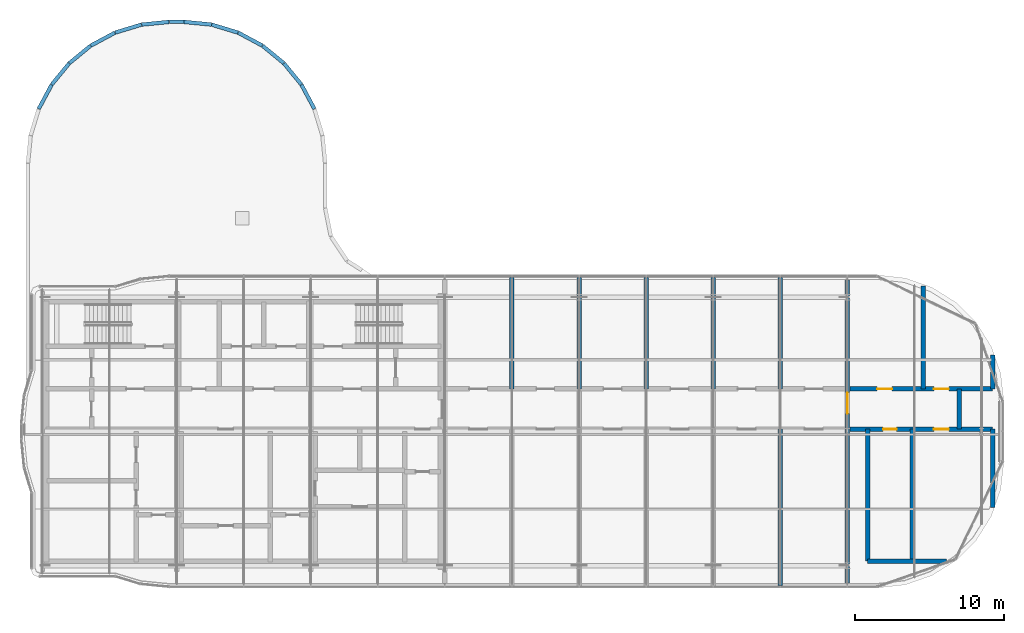
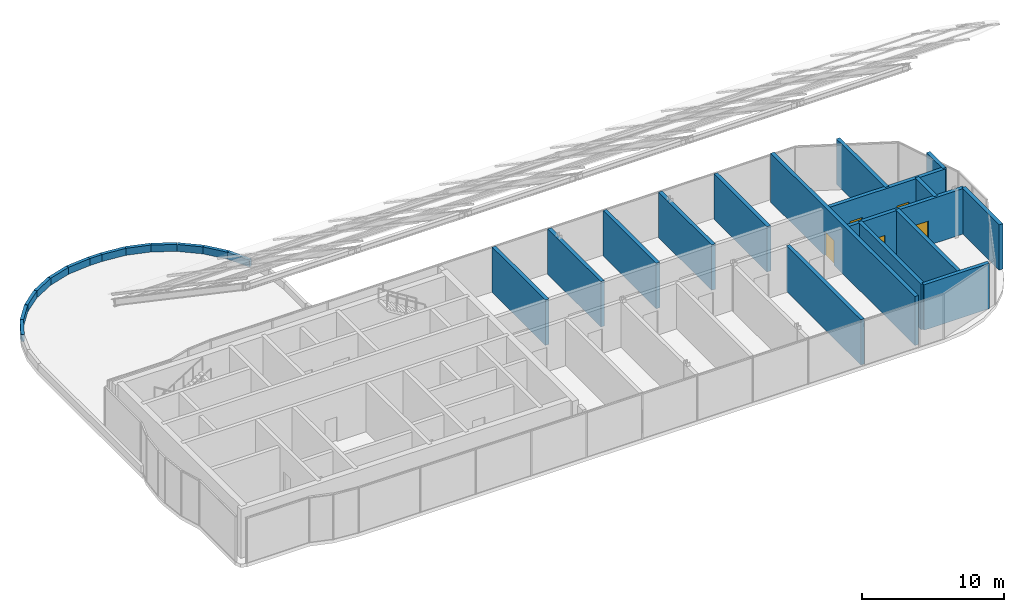
# One storey, part 22 of 25: 29 walls, 5 doors, 5 openings.
"""IFC4 building model written with IfcOpenShell, lengths in metres."""

import ifcopenshell
import ifcopenshell.guid

model = None  # the IFC model being written
_history = None  # IfcOwnerHistory: only IFC2X3 demands one
_inside = {}  # id of a spatial element -> (the spatial element, [elements in it])
_under = {}  # id of a project, library or spatial element -> (it, [spatial elements below it])
_declared = {}  # id of a project -> (the project, [libraries it declares])
_typed = {}  # id of a type object -> (the type object, [elements of that type])
_made_of = {}  # id of a material, layer set ... -> (it, [elements and type objects made of it])


def new_model(schema):
    """Start an empty IFC model of exactly this schema.

    Asked for "IFC4X3", IfcOpenShell would pick the latest addendum, in which some entities
    have other attributes; the version numbers below select the first issue.
    IFC2X3 requires an IfcOwnerHistory on every rooted entity: one is made here for all.
    """
    global model, _history
    if schema == "IFC4X3":
        model = ifcopenshell.file(schema_version=(4, 3, 0, 0))
    else:
        model = ifcopenshell.file(schema=schema)
    _inside.clear()
    _under.clear()
    _declared.clear()
    _typed.clear()
    _made_of.clear()
    _history = None
    if model.schema == "IFC2X3":
        org = make("IfcOrganization", Name="unknown")
        user = make(
            "IfcPersonAndOrganization",
            ThePerson=make("IfcPerson", FamilyName="unknown"),
            TheOrganization=org,
        )
        app = make(
            "IfcApplication",
            ApplicationDeveloper=org,
            Version="unknown",
            ApplicationFullName="unknown",
            ApplicationIdentifier="unknown",
        )
        _history = make(
            "IfcOwnerHistory",
            OwningUser=user,
            OwningApplication=app,
            ChangeAction="ADDED",
            CreationDate=0,
        )
    return model


def make(cls, **values):
    """One entity of the class cls with the attributes given. An attribute that is None is left unset."""
    return model.create_entity(
        cls, **{name: value for name, value in values.items() if value is not None}
    )


def rooted(cls, **values):
    """An entity with a GlobalId (a new one), such as an element, a storey or a relation."""
    return make(cls, GlobalId=ifcopenshell.guid.new(), OwnerHistory=_history, **values)


def si_unit(unit_type, name, prefix=None):
    """IfcSIUnit, for example si_unit("LENGTHUNIT", "METRE", prefix="MILLI")."""
    return make("IfcSIUnit", UnitType=unit_type, Prefix=prefix, Name=name)


def assignment(units):
    """IfcUnitAssignment: the units of a project."""
    return None if units is None else make("IfcUnitAssignment", Units=units)


def point(xyz):
    """IfcCartesianPoint."""
    return None if xyz is None else make("IfcCartesianPoint", Coordinates=xyz)


def direction(xyz):
    """IfcDirection."""
    return None if xyz is None else make("IfcDirection", DirectionRatios=xyz)


def frame(location, z_axis=None, x_axis=None):
    """IfcAxis2Placement3D, a coordinate frame: its origin and axes. An axis left out is left unset."""
    return make(
        "IfcAxis2Placement3D",
        Location=point(location),
        Axis=direction(z_axis),
        RefDirection=direction(x_axis),
    )


def frame_2d(location, x_axis=None):
    """IfcAxis2Placement2D, a coordinate frame in the plane: its origin and x axis."""
    return make(
        "IfcAxis2Placement2D", Location=point(location), RefDirection=direction(x_axis)
    )


def origin():
    """The frame at (0, 0, 0) with its axes left unset."""
    return frame((0.0, 0.0, 0.0))


def place(relative_to, where):
    """IfcLocalPlacement: puts the frame where relative to a parent placement (None: the world)."""
    return make(
        "IfcLocalPlacement", PlacementRelTo=relative_to, RelativePlacement=where
    )


def context(
    kind, dimensions, precision=None, world=None, true_north=None, identifier=None
):
    """IfcGeometricRepresentationContext, for example the 3D "Model" context."""
    return make(
        "IfcGeometricRepresentationContext",
        ContextIdentifier=identifier,
        ContextType=kind,
        CoordinateSpaceDimension=dimensions,
        Precision=precision,
        WorldCoordinateSystem=world,
        TrueNorth=true_north,
    )


def subcontext(parent, identifier, kind, view, scale=None):
    """IfcGeometricRepresentationSubContext, for example "Body" below "Model"."""
    return make(
        "IfcGeometricRepresentationSubContext",
        ContextIdentifier=identifier,
        ContextType=kind,
        ParentContext=parent,
        TargetScale=scale,
        TargetView=view,
    )


def project(units=None, contexts=None):
    """IfcProject with its units and contexts."""
    return rooted(
        "IfcProject",
        Name="project",
        RepresentationContexts=contexts,
        UnitsInContext=assignment(units),
    )


def spatial(cls, under=None, at=None, **own):
    """A site, building, storey or space (cls), placed at a placement, below another one or the project."""
    s = rooted(cls, ObjectPlacement=at, **own)
    if under is not None:
        _under.setdefault(under.id(), (under, []))[1].append(s)
    return s


def profile(cls, at=None, kind="AREA", **sizes):
    """A parametric profile (cls). Its sizes go by their IFC names, for example OverallWidth=200.0."""
    return make(cls, ProfileType=kind, Position=at, **sizes)


def rectangle(**sizes):
    """IfcRectangleProfileDef."""
    return profile("IfcRectangleProfileDef", **sizes)


def extrude(swept, where, along, depth):
    """IfcExtrudedAreaSolid: the profile swept, set in the frame where, extruded along a direction by depth."""
    return make(
        "IfcExtrudedAreaSolid",
        SweptArea=swept,
        Position=where,
        ExtrudedDirection=direction(along),
        Depth=depth,
    )


def shape(context_of_items, identifier, shape_type, items):
    """IfcShapeRepresentation: the items that make up one representation, for example the "Body"."""
    return make(
        "IfcShapeRepresentation",
        ContextOfItems=context_of_items,
        RepresentationIdentifier=identifier,
        RepresentationType=shape_type,
        Items=items,
    )


def material(Name=None, Category=None):
    """IfcMaterial."""
    return make("IfcMaterial", Name=Name, Category=Category)


def layer(
    of_material, thickness, ventilated=None, Name=None, Category=None, Priority=None
):
    """IfcMaterialLayer: one layer of a wall or slab, of a material (None: an air gap)."""
    return make(
        "IfcMaterialLayer",
        Material=of_material,
        LayerThickness=thickness,
        IsVentilated=ventilated,
        Name=Name,
        Category=Category,
        Priority=Priority,
    )


def layer_set(layers, Name=None):
    """IfcMaterialLayerSet."""
    return make("IfcMaterialLayerSet", MaterialLayers=layers, LayerSetName=Name)


def made_of(thing, what):
    """Note that an element or type object is made of a material, layer set ...; save() writes the relation."""
    if what is not None:
        _made_of.setdefault(what.id(), (what, []))[1].append(thing)
    return thing


def type_object(cls, material=None, **own):
    """A type object (cls), such as IfcWallType, which elements share."""
    return made_of(rooted(cls, **own), material)


def element(
    cls,
    number,
    at=None,
    inside=None,
    cuts=None,
    type_object=None,
    material=None,
    context=None,
    identifier="Body",
    shape_type=None,
    held_by="IfcProductDefinitionShape",
    body=None,
    shapes=None,
    **own,
):
    """One element of the class cls, such as IfcWall. Its Tag is "e" and its number.

    at: its placement. inside: the storey or other place that contains it. cuts: it is an
    opening in that element (IfcRelVoidsElement). A single representation is given by context,
    identifier, shape_type and body (its items); several are given by shapes. held_by: the class
    of the entity that holds the representations. save() writes the other relations.
    """
    e = rooted(cls, Tag="e%d" % number, ObjectPlacement=at, **own)
    if body is not None:
        shapes = [shape(context, identifier, shape_type, body)]
    if shapes is not None:
        e.Representation = make(held_by, Representations=shapes)
    if inside is not None:
        _inside.setdefault(inside.id(), (inside, []))[1].append(e)
    if cuts is not None:
        rooted(
            "IfcRelVoidsElement", RelatingBuildingElement=cuts, RelatedOpeningElement=e
        )
    if type_object is not None:
        _typed.setdefault(type_object.id(), (type_object, []))[1].append(e)
    return made_of(e, material)


def fill(opening, filler):
    """IfcRelFillsElement: the door or window that sits in an opening."""
    return rooted(
        "IfcRelFillsElement",
        RelatingOpeningElement=opening,
        RelatedBuildingElement=filler,
    )


def aggregate(whole, parts):
    """IfcRelAggregates: a whole, such as a stair, and the parts it consists of."""
    return rooted("IfcRelAggregates", RelatingObject=whole, RelatedObjects=parts)


def save(model, path):
    """Write the relations noted so far, then the file.

    IfcRelAggregates (storeys below a building ...), IfcRelContainedInSpatialStructure (elements
    in a storey), IfcRelDefinesByType, IfcRelAssociatesMaterial and IfcRelDeclares: one each for
    every whole, place, type object, material and project.
    """
    for whole, parts in _under.values():
        aggregate(whole, parts)
    for where, things in _inside.values():
        rooted(
            "IfcRelContainedInSpatialStructure",
            RelatedElements=things,
            RelatingStructure=where,
        )
    for kind, things in _typed.values():
        rooted("IfcRelDefinesByType", RelatedObjects=things, RelatingType=kind)
    for what, things in _made_of.values():
        rooted("IfcRelAssociatesMaterial", RelatedObjects=things, RelatingMaterial=what)
    for by, libraries in _declared.values():
        rooted("IfcRelDeclares", RelatingContext=by, RelatedDefinitions=libraries)
    model.write(path)


model = new_model("IFC4")

# Units and contexts
model_context = context("Model", 3, precision=1e-05, world=origin(), true_north=direction((0.0, 1.0)))
body_context = subcontext(model_context, "Body", "Model", "MODEL_VIEW")
ifc_project = project(units=[si_unit("LENGTHUNIT", "METRE"), si_unit("AREAUNIT", "SQUARE_METRE"), si_unit("VOLUMEUNIT", "CUBIC_METRE"), si_unit("PLANEANGLEUNIT", "RADIAN"), si_unit("MASSUNIT", "GRAM", prefix="KILO")], contexts=[model_context])

# Site, building, storey
site_placement = place(None, origin())
site = spatial("IfcSite", under=ifc_project, at=site_placement, CompositionType="ELEMENT")
building_placement = place(site_placement, origin())
building = spatial("IfcBuilding", under=site, at=building_placement, Name="Ogive Portal Towers", CompositionType="ELEMENT")
storey_placement = place(building_placement, frame((0.0, 0.0, 272.89990234375)))
storey = spatial("IfcBuildingStorey", under=building, at=storey_placement, Name="L66", CompositionType="ELEMENT", Elevation=272.89990234375)

# Walls
ifc_material_1 = material(Name="Limestone cladding on lightweight block wall", Category="masonry")
ifc_layer_1 = layer(ifc_material_1, 0.25)
ifc_layer_set_1 = layer_set([ifc_layer_1], Name="PARAPET 250 STONE")
wall_type_1 = type_object("IfcWallType", Name="PARAPET 250 STONE", PredefinedType="PARAPET", material=ifc_layer_set_1)
for number, where, z_axis, x_axis, name in (
    (1, (49.747314453125, 52.136474609375, 0.0), (0.0, 0.0, 1.0), (-0.471293308905, 0.881976539927, 0.0), "A:L66:sroof0:para34"),
    (2, (48.869873046875, 53.773193359375, 0.0), (0.0, 0.0, 1.0), (-0.63436152101, 0.773036519618, 0.0), "A:L66:sroof0:para35"),
    (3, (47.68994140625, 55.207275390625, 0.0), (0.0, 0.0, 1.0), (-0.773036519618, 0.63436152101, 0.0), "A:L66:sroof0:para36"),
    (4, (46.2529296875, 56.383544921875, 0.0), (0.0, 0.0, 1.0), (-0.881976539927, 0.471293308905, 0.0), "A:L66:sroof0:para37"),
    (5, (44.614013671875, 57.2568359375, 0.0), (0.0, 0.0, 1.0), (-0.956949311168, 0.290255087561, 0.0), "A:L66:sroof0:para38"),
):
    element("IfcWall", number, at=place(storey_placement, frame(where, z_axis=z_axis, x_axis=x_axis)), inside=storey, type_object=wall_type_1, Name=name, PredefinedType="PARAPET", context=body_context, shape_type="SweptSolid", body=[
        extrude(rectangle(XDim=1.832763671875, YDim=0.25, at=frame_2d((0.91650390625, 0.0))), origin(), (0.0, 0.0, 1.0), 0.60009765625),
    ])
wall_1_placement = place(storey_placement, frame((42.836181640625, 57.79345703125, 0.0), z_axis=(0.0, 0.0, 1.0), x_axis=(-0.99518154897, 0.098049398722, 0.0)))
element("IfcWall", 6, at=wall_1_placement, inside=storey, type_object=wall_type_1, Name="A:L66:sroof0:para39", PredefinedType="PARAPET", context=body_context, shape_type="SweptSolid", body=[
    extrude(rectangle(XDim=1.844970703125, YDim=0.25, at=frame_2d((0.92236328125, 0.0))), origin(), (0.0, 0.0, 1.0), 0.60009765625),
])
wall_2_placement = place(storey_placement, frame((40.98779296875, 57.97509765625, 0.0), z_axis=(0.0, 0.0, 1.0), x_axis=(-1.0, 0.0, 0.0)))
element("IfcWall", 7, at=wall_2_placement, inside=storey, type_object=wall_type_1, Name="A:L66:sroof0:para40", PredefinedType="PARAPET", context=body_context, shape_type="SweptSolid", body=[
    extrude(rectangle(XDim=0.9755859375, YDim=0.25, at=frame_2d((0.48779296875, 0.0))), origin(), (0.0, 0.0, 1.0), 0.60009765625),
])
wall_3_placement = place(storey_placement, frame((40.0, 57.974365234375, 0.0), z_axis=(0.0, 0.0, 1.0), x_axis=(-0.99518154897, -0.098049398722, 0.0)))
element("IfcWall", 8, at=wall_3_placement, inside=storey, type_object=wall_type_1, Name="A:L66:sroof0:para41", PredefinedType="PARAPET", context=body_context, shape_type="SweptSolid", body=[
    extrude(rectangle(XDim=1.844970703125, YDim=0.25, at=frame_2d((0.92236328125, 0.0))), origin(), (0.0, 0.0, 1.0), 0.60009765625),
])
for number, where, z_axis, x_axis, name in (
    (9, (38.139892578125, 57.788818359375, 0.0), (0.0, 0.0, 1.0), (-0.956949311168, -0.290255087561, 0.0), "A:L66:sroof0:para42"),
    (10, (36.363525390625, 57.247314453125, 0.0), (0.0, 0.0, 1.0), (-0.881976539927, -0.471293308905, 0.0), "A:L66:sroof0:para43"),
    (11, (34.726806640625, 56.369873046875, 0.0), (0.0, 0.0, 1.0), (-0.773036519618, -0.63436152101, 0.0), "A:L66:sroof0:para44"),
    (12, (33.292724609375, 55.18994140625, 0.0), (0.0, 0.0, 1.0), (-0.63436152101, -0.773036519618, 0.0), "A:L66:sroof0:para45"),
    (13, (32.116455078125, 53.7529296875, 0.0), (0.0, 0.0, 1.0), (-0.471293308905, -0.881976539927, 0.0), "A:L66:sroof0:para46"),
):
    element("IfcWall", number, at=place(storey_placement, frame(where, z_axis=z_axis, x_axis=x_axis)), inside=storey, type_object=wall_type_1, Name=name, PredefinedType="PARAPET", context=body_context, shape_type="SweptSolid", body=[
        extrude(rectangle(XDim=1.832763671875, YDim=0.25, at=frame_2d((0.91650390625, 0.0))), origin(), (0.0, 0.0, 1.0), 0.60009765625),
    ])

# Wall, opening, door
ifc_material_2 = material(Name="Concrete C60/75", Category="concrete")
ifc_layer_2 = layer(ifc_material_2, 0.300048828125)
ifc_layer_set_2 = layer_set([ifc_layer_2], Name="REVEAL WALL 300 C60")
wall_type_2 = type_object("IfcWallType", Name="REVEAL WALL 300 C60", PredefinedType="SHEAR", material=ifc_layer_set_2)
wall_4_placement = place(storey_placement, frame((85.5, 20.35009765625, 0.0), z_axis=(0.0, 0.0, 1.0), x_axis=(0.0, 1.0, 0.0)))
wall_4 = element("IfcWall", 14, at=wall_4_placement, inside=storey, type_object=wall_type_2, Name="Portal reveal wall L66", PredefinedType="SHEAR", context=body_context, shape_type="SweptSolid", body=[
    extrude(rectangle(XDim=20.2998046875, YDim=0.300048828125, at=frame_2d((10.14990234375, 0.0))), origin(), (0.0, 0.0, 1.0), 4.2001953125),
])
opening_1_placement = place(wall_4_placement, frame((11.35009765625, 0.0, 0.0)))
opening_1 = element("IfcOpeningElement", 15, at=opening_1_placement, cuts=wall_4, Name="Opening D32-039", PredefinedType="OPENING", context=body_context, shape_type="SweptSolid", body=[
    extrude(rectangle(XDim=1.39990234375, YDim=2.10009765625, at=frame_2d((0.699951171875, 1.050048828125))), frame((0.0, 0.16015625, 0.0), z_axis=(0.0, -1.0, 0.0), x_axis=(1.0, 0.0, 0.0)), (0.0, 0.0, 1.0), 0.320068359375),
])
ifc_material_3 = material(Name="Steel fire door", Category="steel")
door_type_1 = type_object("IfcDoorType", Name="DT-STAIR-1400x2100-FD90S", OperationType="SINGLE_SWING_LEFT", PredefinedType="DOOR", material=ifc_material_3)
door_1_placement = place(opening_1_placement, origin())
door_1 = element("IfcDoor", 16, at=door_1_placement, inside=storey, type_object=door_type_1, Name="Door D32-039", OperationType="SINGLE_SWING_RIGHT", OverallHeight=2.10009765625, OverallWidth=1.39990234375, PredefinedType="DOOR", context=body_context, shape_type="SweptSolid", body=[
    extrude(rectangle(XDim=1.39990234375, YDim=2.10009765625, at=frame_2d((0.699951171875, 1.050048828125))), frame((0.0, 0.02490234375, 0.0), z_axis=(0.0, -1.0, 0.0), x_axis=(1.0, 0.0, 0.0)), (0.0, 0.0, 1.0), 0.050048828125),
])
fill(opening_1, door_1)

# Wall
ifc_material_4 = material(Name="Gypsum board partition on steel studs", Category="steel")
ifc_layer_3 = layer(ifc_material_4, 0.300048828125)
ifc_layer_set_3 = layer_set([ifc_layer_3], Name="WT-PART-300-EI 120")
wall_type_3 = type_object("IfcWallType", Name="WT-PART-300-EI 120", PredefinedType="PARTITIONING", material=ifc_layer_set_3)
wall_5_placement = place(storey_placement, frame((86.85009765625, 21.800048828125, 0.0), z_axis=(0.0, 0.0, 1.0), x_axis=(1.0, 0.0, 0.0)))
element("IfcWall", 17, at=wall_5_placement, inside=storey, type_object=wall_type_3, Name="Wall L66:w001", PredefinedType="PARTITIONING", context=body_context, shape_type="SweptSolid", body=[
    extrude(rectangle(XDim=5.2998046875, YDim=0.300048828125, at=frame_2d((2.64990234375, 0.0))), origin(), (0.0, 0.0, 1.0), 3.900146484375),
])

# Wall, openings, doors
wall_6_placement = place(storey_placement, frame((85.669921875, 30.64990234375, 0.0), z_axis=(0.0, 0.0, 1.0), x_axis=(1.0, 0.0, 0.0)))
wall_6 = element("IfcWall", 18, at=wall_6_placement, inside=storey, type_object=wall_type_3, Name="Wall L66:w003", PredefinedType="PARTITIONING", context=body_context, shape_type="SweptSolid", body=[
    extrude(rectangle(XDim=9.580078125, YDim=0.300048828125, at=frame_2d((4.7900390625, 0.0))), origin(), (0.0, 0.0, 1.0), 3.900146484375),
])
opening_2_placement = place(wall_6_placement, frame((2.22998046875, 0.0, 0.0)))
opening_2 = element("IfcOpeningElement", 19, at=opening_2_placement, cuts=wall_6, Name="Opening D32-035", PredefinedType="OPENING", context=body_context, shape_type="SweptSolid", body=[
    extrude(rectangle(XDim=0.89990234375, YDim=2.10009765625, at=frame_2d((0.449951171875, 1.050048828125))), frame((0.0, 0.16015625, 0.0), z_axis=(0.0, -1.0, 0.0), x_axis=(1.0, 0.0, 0.0)), (0.0, 0.0, 1.0), 0.320068359375),
])
opening_3_placement = place(wall_6_placement, frame((5.6298828125, 0.0, 0.0)))
opening_3 = element("IfcOpeningElement", 20, at=opening_3_placement, cuts=wall_6, Name="Opening D32-038", PredefinedType="OPENING", context=body_context, shape_type="SweptSolid", body=[
    extrude(rectangle(XDim=1.0, YDim=2.10009765625, at=frame_2d((0.5, 1.050048828125))), frame((0.0, 0.16015625, 0.0), z_axis=(0.0, -1.0, 0.0), x_axis=(1.0, 0.0, 0.0)), (0.0, 0.0, 1.0), 0.320068359375),
])
door_type_2 = type_object("IfcDoorType", Name="DT-SERVICE-1000x2100-FD90S", OperationType="SINGLE_SWING_LEFT", PredefinedType="DOOR", material=ifc_material_3)
door_2_placement = place(opening_3_placement, origin())
door_2 = element("IfcDoor", 21, at=door_2_placement, inside=storey, type_object=door_type_2, Name="Riser access door D32-038", OperationType="SINGLE_SWING_LEFT", OverallHeight=2.10009765625, OverallWidth=1.0, PredefinedType="DOOR", context=body_context, shape_type="SweptSolid", body=[
    extrude(rectangle(XDim=1.0, YDim=2.10009765625, at=frame_2d((0.5, 1.050048828125))), frame((0.0, 0.02490234375, 0.0), z_axis=(0.0, -1.0, 0.0), x_axis=(1.0, 0.0, 0.0)), (0.0, 0.0, 1.0), 0.050048828125),
])
fill(opening_3, door_2)
door_type_3 = type_object("IfcDoorType", Name="DT-SERVICE-900x2100-FD90S", OperationType="SINGLE_SWING_LEFT", PredefinedType="DOOR", material=ifc_material_3)
door_3_placement = place(opening_2_placement, origin())
door_3 = element("IfcDoor", 22, at=door_3_placement, inside=storey, type_object=door_type_3, Name="Riser access door D32-035", OperationType="SINGLE_SWING_LEFT", OverallHeight=2.10009765625, OverallWidth=0.89990234375, PredefinedType="DOOR", context=body_context, shape_type="SweptSolid", body=[
    extrude(rectangle(XDim=0.89990234375, YDim=2.10009765625, at=frame_2d((0.449951171875, 1.050048828125))), frame((0.0, 0.02490234375, 0.0), z_axis=(0.0, -1.0, 0.0), x_axis=(1.0, 0.0, 0.0)), (0.0, 0.0, 1.0), 0.050048828125),
])
fill(opening_2, door_3)

wall_7_placement = place(storey_placement, frame((85.669921875, 33.35009765625, 0.0), z_axis=(0.0, 0.0, 1.0), x_axis=(1.0, 0.0, 0.0)))
wall_7 = element("IfcWall", 23, at=wall_7_placement, inside=storey, type_object=wall_type_3, Name="Wall L66:w005", PredefinedType="PARTITIONING", context=body_context, shape_type="SweptSolid", body=[
    extrude(rectangle(XDim=9.580078125, YDim=0.300048828125, at=frame_2d((4.7900390625, 0.0))), origin(), (0.0, 0.0, 1.0), 3.900146484375),
])
opening_4_placement = place(wall_7_placement, frame((1.830078125, 0.0, 0.0)))
opening_4 = element("IfcOpeningElement", 24, at=opening_4_placement, cuts=wall_7, Name="Opening D32-036", PredefinedType="OPENING", context=body_context, shape_type="SweptSolid", body=[
    extrude(rectangle(XDim=1.0, YDim=2.10009765625, at=frame_2d((0.5, 1.050048828125))), frame((0.0, 0.16015625, 0.0), z_axis=(0.0, -1.0, 0.0), x_axis=(1.0, 0.0, 0.0)), (0.0, 0.0, 1.0), 0.320068359375),
])
opening_5_placement = place(wall_7_placement, frame((5.6298828125, 0.0, 0.0)))
opening_5 = element("IfcOpeningElement", 25, at=opening_5_placement, cuts=wall_7, Name="Opening D32-037", PredefinedType="OPENING", context=body_context, shape_type="SweptSolid", body=[
    extrude(rectangle(XDim=1.0, YDim=2.10009765625, at=frame_2d((0.5, 1.050048828125))), frame((0.0, 0.16015625, 0.0), z_axis=(0.0, -1.0, 0.0), x_axis=(1.0, 0.0, 0.0)), (0.0, 0.0, 1.0), 0.320068359375),
])
door_4_placement = place(opening_4_placement, origin())
door_4 = element("IfcDoor", 26, at=door_4_placement, inside=storey, type_object=door_type_2, Name="Door D32-036", OperationType="SINGLE_SWING_LEFT", OverallHeight=2.10009765625, OverallWidth=1.0, PredefinedType="DOOR", context=body_context, shape_type="SweptSolid", body=[
    extrude(rectangle(XDim=1.0, YDim=2.10009765625, at=frame_2d((0.5, 1.050048828125))), frame((0.0, 0.02490234375, 0.0), z_axis=(0.0, -1.0, 0.0), x_axis=(1.0, 0.0, 0.0)), (0.0, 0.0, 1.0), 0.050048828125),
])
fill(opening_4, door_4)
door_5_placement = place(opening_5_placement, origin())
door_5 = element("IfcDoor", 27, at=door_5_placement, inside=storey, type_object=door_type_2, Name="Riser access door D32-037", OperationType="SINGLE_SWING_RIGHT", OverallHeight=2.10009765625, OverallWidth=1.0, PredefinedType="DOOR", context=body_context, shape_type="SweptSolid", body=[
    extrude(rectangle(XDim=1.0, YDim=2.10009765625, at=frame_2d((0.5, 1.050048828125))), frame((0.0, 0.02490234375, 0.0), z_axis=(0.0, -1.0, 0.0), x_axis=(1.0, 0.0, 0.0)), (0.0, 0.0, 1.0), 0.050048828125),
])
fill(opening_5, door_5)

# Walls
for number, where, z_axis, x_axis, name in (
    (28, (86.85009765625, 21.800048828125, 0.0), (0.0, 0.0, 1.0), (0.0, 1.0, 0.0), "Wall L66:w018"),
    (29, (89.85009765625, 21.800048828125, 0.0), (0.0, 0.0, 1.0), (0.0, 1.0, 0.0), "Wall L66:w019"),
):
    element("IfcWall", number, at=place(storey_placement, frame(where, z_axis=z_axis, x_axis=x_axis)), inside=storey, type_object=wall_type_3, Name=name, PredefinedType="PARTITIONING", context=body_context, shape_type="SweptSolid", body=[
        extrude(rectangle(XDim=8.849853515625, YDim=0.300048828125, at=frame_2d((4.4248046875, 0.0))), origin(), (0.0, 0.0, 1.0), 3.900146484375),
    ])
wall_8_placement = place(storey_placement, frame((93.0, 30.64990234375, 0.0), z_axis=(0.0, 0.0, 1.0), x_axis=(0.0, 1.0, 0.0)))
element("IfcWall", 30, at=wall_8_placement, inside=storey, type_object=wall_type_3, Name="Wall L66:w021", PredefinedType="PARTITIONING", context=body_context, shape_type="SweptSolid", body=[
    extrude(rectangle(XDim=2.7001953125, YDim=0.300048828125, at=frame_2d((1.35009765625, 0.0))), origin(), (0.0, 0.0, 1.0), 3.900146484375),
])
ifc_layer_4 = layer(ifc_material_4, 0.300048828125)
ifc_layer_set_4 = layer_set([ifc_layer_4], Name="WT-PART-300-EI 60")
wall_type_4 = type_object("IfcWallType", Name="WT-PART-300-EI 60", PredefinedType="PARTITIONING", material=ifc_layer_set_4)
for number, where, z_axis, x_axis, name in (
    (31, (63.0, 33.35009765625, 0.0), (0.0, 0.0, 1.0), (0.0, 1.0, 0.0), "Wall L66:w009"),
    (32, (67.5, 33.35009765625, 0.0), (0.0, 0.0, 1.0), (0.0, 1.0, 0.0), "Wall L66:w011"),
    (33, (72.0, 33.35009765625, 0.0), (0.0, 0.0, 1.0), (0.0, 1.0, 0.0), "Wall L66:w013"),
    (34, (76.5, 33.35009765625, 0.0), (0.0, 0.0, 1.0), (0.0, 1.0, 0.0), "Wall L66:w015"),
):
    element("IfcWall", number, at=place(storey_placement, frame(where, z_axis=z_axis, x_axis=x_axis)), inside=storey, type_object=wall_type_4, Name=name, PredefinedType="PARTITIONING", context=body_context, shape_type="SweptSolid", body=[
        extrude(rectangle(XDim=7.47998046875, YDim=0.300048828125, at=frame_2d((3.739990234375, 0.0))), origin(), (0.0, 0.0, 1.0), 3.900146484375),
    ])
wall_9_placement = place(storey_placement, frame((81.0, 20.169921875, 0.0), z_axis=(0.0, 0.0, 1.0), x_axis=(0.0, 1.0, 0.0)))
element("IfcWall", 35, at=wall_9_placement, inside=storey, type_object=wall_type_4, Name="Wall L66:w016", PredefinedType="PARTITIONING", context=body_context, shape_type="SweptSolid", body=[
    extrude(rectangle(XDim=10.47998046875, YDim=0.300048828125, at=frame_2d((5.239990234375, 0.0))), origin(), (0.0, 0.0, 1.0), 3.900146484375),
])
wall_10_placement = place(storey_placement, frame((81.0, 33.35009765625, 0.0), z_axis=(0.0, 0.0, 1.0), x_axis=(0.0, 1.0, 0.0)))
element("IfcWall", 36, at=wall_10_placement, inside=storey, type_object=wall_type_4, Name="Wall L66:w017", PredefinedType="PARTITIONING", context=body_context, shape_type="SweptSolid", body=[
    extrude(rectangle(XDim=7.47998046875, YDim=0.300048828125, at=frame_2d((3.739990234375, 0.0))), origin(), (0.0, 0.0, 1.0), 3.900146484375),
])
wall_11_placement = place(storey_placement, frame((90.60009765625, 33.35009765625, 0.0), z_axis=(0.0, 0.0, 1.0), x_axis=(0.0, 1.0, 0.0)))
element("IfcWall", 37, at=wall_11_placement, inside=storey, type_object=wall_type_4, Name="Wall L66:w020", PredefinedType="PARTITIONING", context=body_context, shape_type="SweptSolid", body=[
    extrude(rectangle(XDim=6.89794921875, YDim=0.300048828125, at=frame_2d((3.448974609375, 0.0))), origin(), (0.0, 0.0, 1.0), 3.900146484375),
])
wall_12_placement = place(storey_placement, frame((95.25, 25.386962890625, 0.0), z_axis=(0.0, 0.0, 1.0), x_axis=(0.0, 1.0, 0.0)))
element("IfcWall", 38, at=wall_12_placement, inside=storey, type_object=wall_type_4, Name="Wall L66:w022", PredefinedType="PARTITIONING", context=body_context, shape_type="SweptSolid", body=[
    extrude(rectangle(XDim=5.262939453125, YDim=0.300048828125, at=frame_2d((2.63134765625, 0.0))), origin(), (0.0, 0.0, 1.0), 3.900146484375),
])
wall_13_placement = place(storey_placement, frame((95.25, 33.35009765625, 0.0), z_axis=(0.0, 0.0, 1.0), x_axis=(0.0, 1.0, 0.0)))
element("IfcWall", 39, at=wall_13_placement, inside=storey, type_object=wall_type_4, Name="Wall L66:w023", PredefinedType="PARTITIONING", context=body_context, shape_type="SweptSolid", body=[
    extrude(rectangle(XDim=2.262939453125, YDim=0.300048828125, at=frame_2d((1.13134765625, 0.0))), origin(), (0.0, 0.0, 1.0), 3.900146484375),
])

save(model, "model.ifc")
